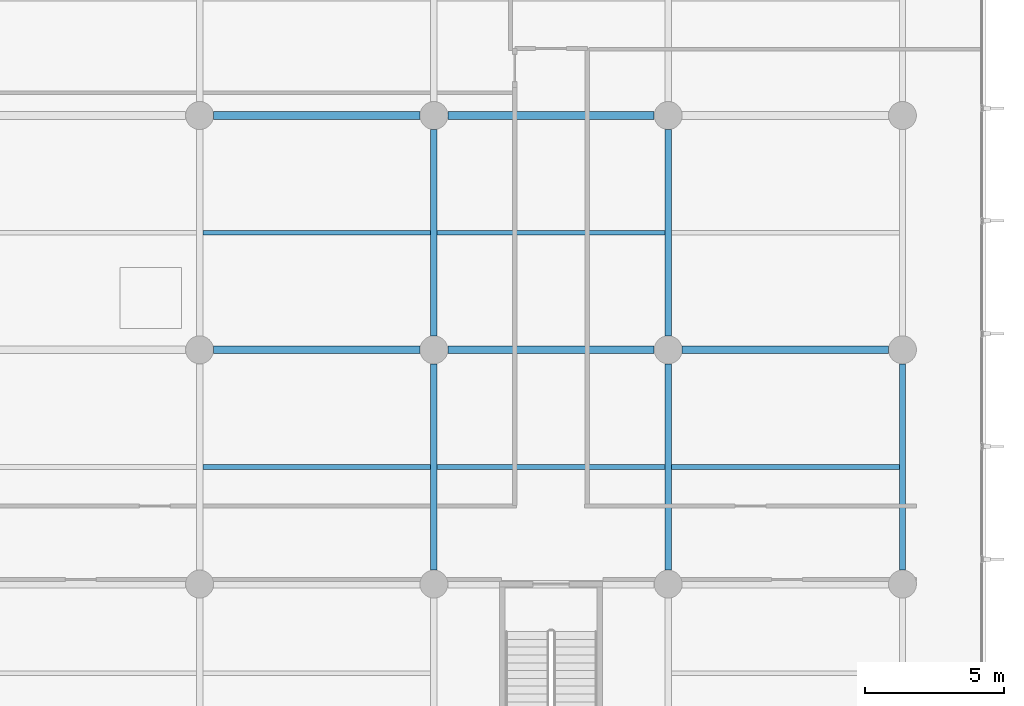
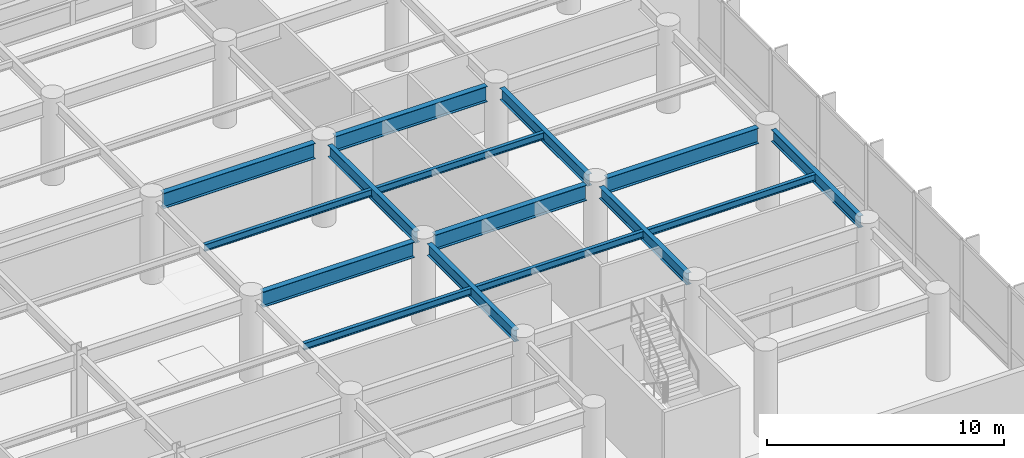
# One storey, part 8 of 26: 15 beams.
"""IFC4 building model written with IfcOpenShell, lengths in metres."""

from ifc_helpers import new_model, si_unit, direction, frame, origin, origin_2d, place, context, subcontext, project, spatial, i_section, extrude, material, material_profile, profile_set, type_object, element, save


model = new_model("IFC4")

# Units and contexts
model_context = context("Model", 3, precision=1e-05, world=origin(), true_north=direction((0.0, 1.0)))
body_context = subcontext(model_context, "Body", "Model", "MODEL_VIEW")
ifc_project = project(units=[si_unit("LENGTHUNIT", "METRE"), si_unit("AREAUNIT", "SQUARE_METRE"), si_unit("VOLUMEUNIT", "CUBIC_METRE"), si_unit("PLANEANGLEUNIT", "RADIAN"), si_unit("MASSUNIT", "GRAM", prefix="KILO")], contexts=[model_context])

# Site, building, storey
site_placement = place(None, origin())
site = spatial("IfcSite", under=ifc_project, at=site_placement, CompositionType="ELEMENT")
building_placement = place(site_placement, origin())
building = spatial("IfcBuilding", under=site, at=building_placement, Name="Varnakote Quay Hospital", CompositionType="ELEMENT")
storey_placement = place(building_placement, frame((0.0, 0.0, 9.0)))
storey = spatial("IfcBuildingStorey", under=building, at=storey_placement, Name="L02", CompositionType="ELEMENT", Elevation=9.0)

# Beams
ifc_material_1 = material(Name="Structural steel AS/NZS 3679.1 Grade 350 L0 (fy 340 MPa)", Category="steel")
ifc_material_profile_1 = material_profile(ifc_material_1, i_section(OverallWidth=0.22802734375, OverallDepth=0.60205078125, WebThickness=0.010498046875, FlangeThickness=0.014892578125, FilletRadius=0.013916015625, at=origin_2d()), Name="610UB101")
ifc_profile_set_1 = profile_set([ifc_material_profile_1], Name="Structural steel AS/NZS 3679.1 Grade 350 L0 (fy 340 MPa)")
beam_type_1 = type_object("IfcBeamType", Name="BM-STL-610UB101", PredefinedType="BEAM", material=ifc_profile_set_1)
beam_1_placement = place(storey_placement, frame((67.199951171875, 12.5, 3.948974609375), z_axis=(0.0, 1.0, 0.0), x_axis=(-1.0, 0.0, 0.0)))
element("IfcBeam", 1, at=beam_1_placement, inside=storey, type_object=beam_type_1, Name="L02 Primary Tie Beam", PredefinedType="BEAM", context=body_context, shape_type="SweptSolid", body=[
    extrude(i_section(OverallWidth=0.22802734375, OverallDepth=0.60205078125, WebThickness=0.010498046875, FlangeThickness=0.014892578125, FilletRadius=0.013916015625, at=origin_2d()), origin(), (0.0, 0.0, 1.0), 7.39990234375),
])
beam_2_placement = place(storey_placement, frame((67.199951171875, 20.89990234375, 3.948974609375), z_axis=(0.0, 1.0, 0.0), x_axis=(-1.0, 0.0, 0.0)))
element("IfcBeam", 2, at=beam_2_placement, inside=storey, type_object=beam_type_1, Name="L02 Primary Tie Beam", PredefinedType="BEAM", context=body_context, shape_type="SweptSolid", body=[
    extrude(i_section(OverallWidth=0.22802734375, OverallDepth=0.60205078125, WebThickness=0.010498046875, FlangeThickness=0.014892578125, FilletRadius=0.013916015625, at=origin_2d()), origin(), (0.0, 0.0, 1.0), 7.400146484375),
])
beam_3_placement = place(storey_placement, frame((75.60009765625, 12.5, 3.948974609375), z_axis=(0.0, 1.0, 0.0), x_axis=(-1.0, 0.0, 0.0)))
element("IfcBeam", 3, at=beam_3_placement, inside=storey, type_object=beam_type_1, Name="L02 Primary Tie Beam", PredefinedType="BEAM", context=body_context, shape_type="SweptSolid", body=[
    extrude(i_section(OverallWidth=0.22802734375, OverallDepth=0.60205078125, WebThickness=0.010498046875, FlangeThickness=0.014892578125, FilletRadius=0.013916015625, at=origin_2d()), origin(), (0.0, 0.0, 1.0), 7.39990234375),
])
beam_4_placement = place(storey_placement, frame((75.60009765625, 20.89990234375, 3.948974609375), z_axis=(0.0, 1.0, 0.0), x_axis=(-1.0, 0.0, 0.0)))
element("IfcBeam", 4, at=beam_4_placement, inside=storey, type_object=beam_type_1, Name="L02 Primary Tie Beam", PredefinedType="BEAM", context=body_context, shape_type="SweptSolid", body=[
    extrude(i_section(OverallWidth=0.22802734375, OverallDepth=0.60205078125, WebThickness=0.010498046875, FlangeThickness=0.014892578125, FilletRadius=0.013916015625, at=origin_2d()), origin(), (0.0, 0.0, 1.0), 7.400146484375),
])
beam_5_placement = place(storey_placement, frame((84.0, 12.5, 3.948974609375), z_axis=(0.0, 1.0, 0.0), x_axis=(-1.0, 0.0, 0.0)))
element("IfcBeam", 5, at=beam_5_placement, inside=storey, type_object=beam_type_1, Name="L02 Primary Tie Beam", PredefinedType="BEAM", context=body_context, shape_type="SweptSolid", body=[
    extrude(i_section(OverallWidth=0.22802734375, OverallDepth=0.60205078125, WebThickness=0.010498046875, FlangeThickness=0.014892578125, FilletRadius=0.013916015625, at=origin_2d()), origin(), (0.0, 0.0, 1.0), 7.39990234375),
])
ifc_material_2 = material(Name="Structural steel AS/NZS 3678 Grade 350 (fy 340 MPa)", Category="steel")
ifc_material_profile_2 = material_profile(ifc_material_2, i_section(OverallWidth=0.27490234375, OverallDepth=0.800048828125, WebThickness=0.010009765625, FlangeThickness=0.02001953125, at=origin_2d()), Name="800WB146")
ifc_profile_set_2 = profile_set([ifc_material_profile_2], Name="Structural steel AS/NZS 3678 Grade 350 (fy 340 MPa)")
beam_type_2 = type_object("IfcBeamType", Name="BM-STL-800WB146", PredefinedType="BEAM", material=ifc_profile_set_2)
beam_6_placement = place(storey_placement, frame((59.300048828125, 20.39990234375, 3.85009765625), z_axis=(1.0, 0.0, 0.0), x_axis=(0.0, 1.0, 0.0)))
element("IfcBeam", 6, at=beam_6_placement, inside=storey, type_object=beam_type_2, Name="L02 Primary Floor Beam", PredefinedType="BEAM", context=body_context, shape_type="SweptSolid", body=[
    extrude(i_section(OverallWidth=0.27490234375, OverallDepth=0.800048828125, WebThickness=0.010009765625, FlangeThickness=0.02001953125, at=origin_2d()), origin(), (0.0, 0.0, 1.0), 7.39990234375),
])
beam_7_placement = place(storey_placement, frame((67.699951171875, 20.39990234375, 3.85009765625), z_axis=(1.0, 0.0, 0.0), x_axis=(0.0, 1.0, 0.0)))
element("IfcBeam", 7, at=beam_7_placement, inside=storey, type_object=beam_type_2, Name="L02 Primary Floor Beam", PredefinedType="BEAM", context=body_context, shape_type="SweptSolid", body=[
    extrude(i_section(OverallWidth=0.27490234375, OverallDepth=0.800048828125, WebThickness=0.010009765625, FlangeThickness=0.02001953125, at=origin_2d()), origin(), (0.0, 0.0, 1.0), 7.400146484375),
])
for number, where, z_axis, x_axis, name in (
    (8, (76.10009765625, 20.39990234375, 3.85009765625), (1.0, 0.0, 0.0), (0.0, 1.0, 0.0), "L02 Primary Floor Beam"),
    (9, (59.300048828125, 28.800048828125, 3.85009765625), (1.0, 0.0, 0.0), (0.0, 1.0, 0.0), "L02 Primary Floor Beam"),
):
    element("IfcBeam", number, at=place(storey_placement, frame(where, z_axis=z_axis, x_axis=x_axis)), inside=storey, type_object=beam_type_2, Name=name, PredefinedType="BEAM", context=body_context, shape_type="SweptSolid", body=[
        extrude(i_section(OverallWidth=0.27490234375, OverallDepth=0.800048828125, WebThickness=0.010009765625, FlangeThickness=0.02001953125, at=origin_2d()), origin(), (0.0, 0.0, 1.0), 7.39990234375),
    ])
beam_8_placement = place(storey_placement, frame((67.699951171875, 28.800048828125, 3.85009765625), z_axis=(1.0, 0.0, 0.0), x_axis=(0.0, 1.0, 0.0)))
element("IfcBeam", 10, at=beam_8_placement, inside=storey, type_object=beam_type_2, Name="L02 Primary Floor Beam", PredefinedType="BEAM", context=body_context, shape_type="SweptSolid", body=[
    extrude(i_section(OverallWidth=0.27490234375, OverallDepth=0.800048828125, WebThickness=0.010009765625, FlangeThickness=0.02001953125, at=origin_2d()), origin(), (0.0, 0.0, 1.0), 7.400146484375),
])
ifc_material_3 = material(Name="Structural steel AS/NZS 3679.1 Grade 350 L0 (fy 340 MPa)", Category="steel")
ifc_material_profile_3 = material_profile(ifc_material_3, i_section(OverallWidth=0.1708984375, OverallDepth=0.35595703125, WebThickness=0.00732421875, FlangeThickness=0.011474609375, FilletRadius=0.011474609375, at=origin_2d()), Name="360UB50.7")
ifc_profile_set_3 = profile_set([ifc_material_profile_3], Name="Structural steel AS/NZS 3679.1 Grade 350 L0 (fy 340 MPa)")
beam_type_3 = type_object("IfcBeamType", Name="JST-STL-360UB50-7", PredefinedType="JOIST", material=ifc_profile_set_3)
beam_9_placement = place(storey_placement, frame((58.9140625, 16.199951171875, 4.072021484375), z_axis=(1.0, 0.0, 0.0), x_axis=(0.0, 1.0, 0.0)))
element("IfcBeam", 11, at=beam_9_placement, inside=storey, type_object=beam_type_3, Name="L02 Composite Floor Joist", PredefinedType="JOIST", context=body_context, shape_type="SweptSolid", body=[
    extrude(i_section(OverallWidth=0.1708984375, OverallDepth=0.35595703125, WebThickness=0.00732421875, FlangeThickness=0.011474609375, FilletRadius=0.011474609375, at=origin_2d()), origin(), (0.0, 0.0, 1.0), 8.171875),
])
beam_10_placement = place(storey_placement, frame((67.31396484375, 16.199951171875, 4.072021484375), z_axis=(1.0, 0.0, 0.0), x_axis=(0.0, 1.0, 0.0)))
element("IfcBeam", 12, at=beam_10_placement, inside=storey, type_object=beam_type_3, Name="L02 Composite Floor Joist", PredefinedType="JOIST", context=body_context, shape_type="SweptSolid", body=[
    extrude(i_section(OverallWidth=0.1708984375, OverallDepth=0.35595703125, WebThickness=0.00732421875, FlangeThickness=0.011474609375, FilletRadius=0.011474609375, at=origin_2d()), origin(), (0.0, 0.0, 1.0), 8.172119140625),
])
for number, where, z_axis, x_axis, name in (
    (13, (75.714111328125, 16.199951171875, 4.072021484375), (1.0, 0.0, 0.0), (0.0, 1.0, 0.0), "L02 Composite Floor Joist"),
    (14, (58.9140625, 24.60009765625, 4.072021484375), (1.0, 0.0, 0.0), (0.0, 1.0, 0.0), "L02 Composite Floor Joist"),
):
    element("IfcBeam", number, at=place(storey_placement, frame(where, z_axis=z_axis, x_axis=x_axis)), inside=storey, type_object=beam_type_3, Name=name, PredefinedType="JOIST", context=body_context, shape_type="SweptSolid", body=[
        extrude(i_section(OverallWidth=0.1708984375, OverallDepth=0.35595703125, WebThickness=0.00732421875, FlangeThickness=0.011474609375, FilletRadius=0.011474609375, at=origin_2d()), origin(), (0.0, 0.0, 1.0), 8.171875),
    ])
beam_11_placement = place(storey_placement, frame((67.31396484375, 24.60009765625, 4.072021484375), z_axis=(1.0, 0.0, 0.0), x_axis=(0.0, 1.0, 0.0)))
element("IfcBeam", 15, at=beam_11_placement, inside=storey, type_object=beam_type_3, Name="L02 Composite Floor Joist", PredefinedType="JOIST", context=body_context, shape_type="SweptSolid", body=[
    extrude(i_section(OverallWidth=0.1708984375, OverallDepth=0.35595703125, WebThickness=0.00732421875, FlangeThickness=0.011474609375, FilletRadius=0.011474609375, at=origin_2d()), origin(), (0.0, 0.0, 1.0), 8.172119140625),
])

save(model, "model.ifc")
